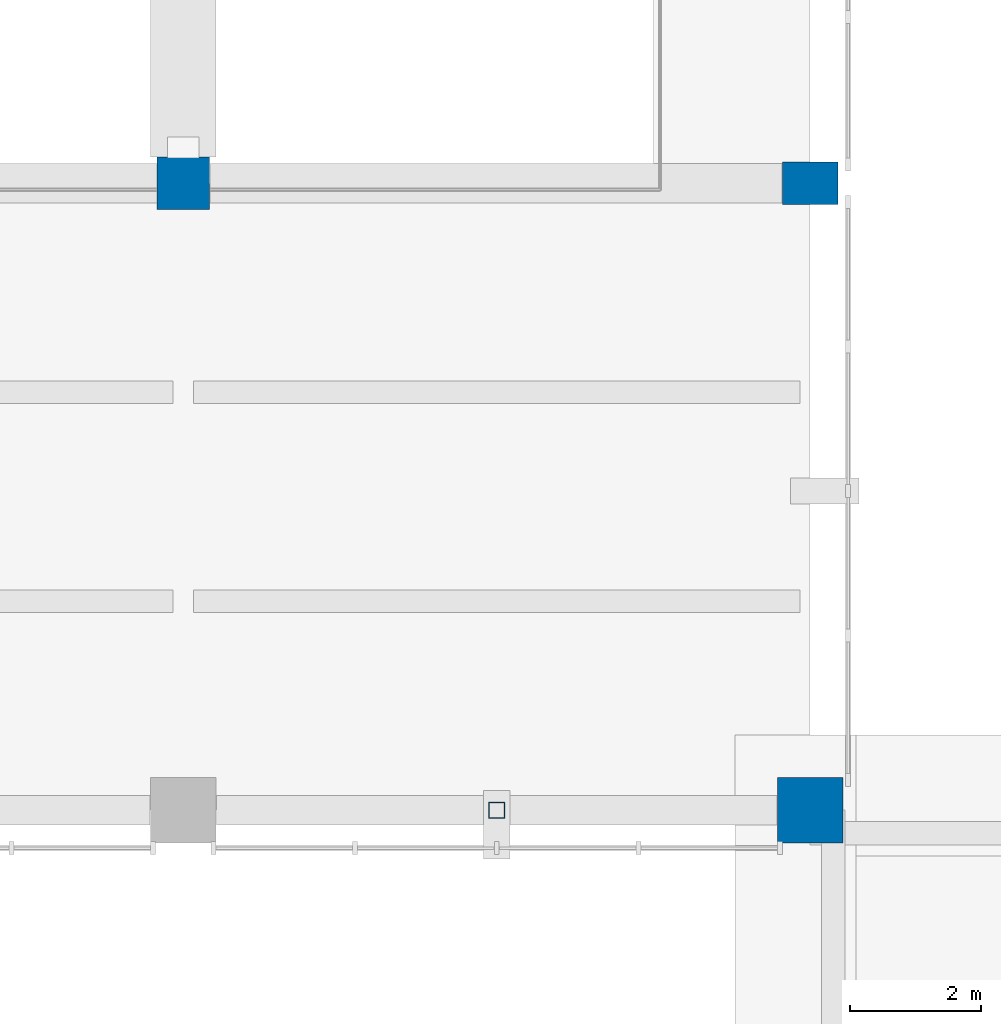
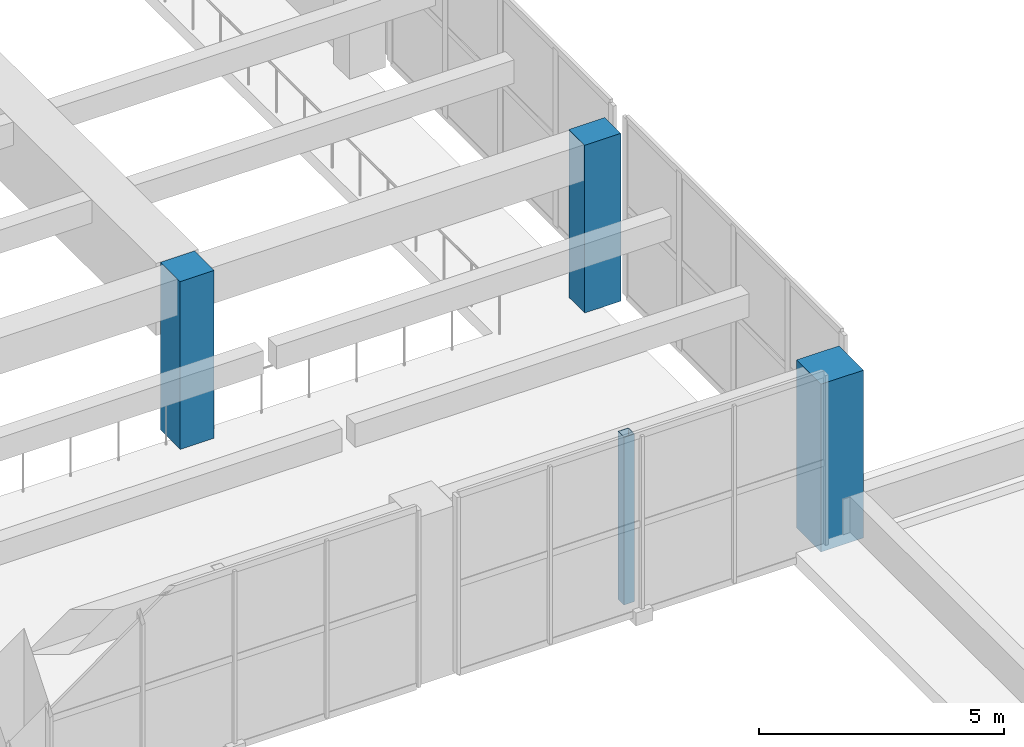
# One storey, part 4 of 49: 4 columns.
"""IFC4 building model written with IfcOpenShell, lengths in metres."""

from ifc_helpers import new_model, si_unit, direction, frame, origin, origin_2d, place, context, subcontext, project, spatial, rectangle, hollow_rectangle, extrude, material, material_profile, profile_set, type_object, element, save


model = new_model("IFC4")

# Units and contexts
model_context = context("Model", 3, precision=1e-05, world=origin(), true_north=direction((0.0, 1.0)))
body_context = subcontext(model_context, "Body", "Model", "MODEL_VIEW")
ifc_project = project(units=[si_unit("LENGTHUNIT", "METRE"), si_unit("AREAUNIT", "SQUARE_METRE"), si_unit("VOLUMEUNIT", "CUBIC_METRE"), si_unit("PLANEANGLEUNIT", "RADIAN"), si_unit("MASSUNIT", "GRAM", prefix="KILO")], contexts=[model_context])

# Site, building, storey
site_placement = place(None, origin())
site = spatial("IfcSite", under=ifc_project, at=site_placement, CompositionType="ELEMENT")
building_placement = place(site_placement, origin())
building = spatial("IfcBuilding", under=site, at=building_placement, Name="Bempovik Park Faculty of Sciences", CompositionType="ELEMENT")
storey_placement = place(building_placement, frame((0.0, 0.0, 5.39990234375)))
storey = spatial("IfcBuildingStorey", under=building, at=storey_placement, Name="L01", CompositionType="ELEMENT", Elevation=5.39990234375)

# Columns
ifc_material_1 = material(Name="Concrete C40/50", Category="concrete")
ifc_material_profile_1 = material_profile(ifc_material_1, rectangle(XDim=0.800048828125, YDim=0.800048828125, at=origin_2d()), Name="RC 800x800")
ifc_profile_set_1 = profile_set([ifc_material_profile_1], Name="Concrete C40/50")
column_type_1 = type_object("IfcColumnType", Name="C-33 RC 800x800", PredefinedType="COLUMN", material=ifc_profile_set_1)
column_1_placement = place(storey_placement, frame((108.0, 29.39990234375, 0.0), z_axis=(0.0, 0.0, 1.0), x_axis=(1.0, 0.0, 0.0)))
element("IfcColumn", 1, at=column_1_placement, inside=storey, type_object=column_type_1, Name="L01 Structural Column (108.0,29.4)", PredefinedType="COLUMN", context=body_context, shape_type="SweptSolid", body=[
    extrude(rectangle(XDim=0.800048828125, YDim=0.800048828125, at=origin_2d()), origin(), (0.0, 0.0, 1.0), 4.18017578125),
])
ifc_material_2 = material(Name="Steel S355", Category="steel")
ifc_material_profile_2 = material_profile(ifc_material_2, hollow_rectangle(XDim=0.25, YDim=0.25, WallThickness=0.012451171875, at=origin_2d()), Name="SHS 250x250x12.5")
ifc_profile_set_2 = profile_set([ifc_material_profile_2], Name="Steel S355")
column_type_2 = type_object("IfcColumnType", Name="C-47 SHS 250x250x12.5", PredefinedType="COLUMN", material=ifc_profile_set_2)
column_2_placement = place(storey_placement, frame((112.800048828125, 19.800048828125, 0.0), z_axis=(0.0, 0.0, 1.0), x_axis=(1.0, 0.0, 0.0)))
element("IfcColumn", 2, at=column_2_placement, inside=storey, type_object=column_type_2, Name="Foyer Steel Mullion Column L01 (112.8)", PredefinedType="COLUMN", context=body_context, shape_type="SweptSolid", body=[
    extrude(hollow_rectangle(XDim=0.25, YDim=0.25, WallThickness=0.012451171875, at=origin_2d()), origin(), (0.0, 0.0, 1.0), 4.18017578125),
])
ifc_material_profile_3 = material_profile(ifc_material_1, rectangle(XDim=0.85009765625, YDim=0.64990234375, at=origin_2d()), Name="RC 850x650")
ifc_profile_set_3 = profile_set([ifc_material_profile_3], Name="Concrete C40/50")
column_type_3 = type_object("IfcColumnType", Name="C-71 RC 850x650", PredefinedType="COLUMN", material=ifc_profile_set_3)
column_3_placement = place(storey_placement, frame((117.60009765625, 29.39990234375, 0.0), z_axis=(0.0, 0.0, 1.0), x_axis=(1.0, 0.0, 0.0)))
element("IfcColumn", 3, at=column_3_placement, inside=storey, type_object=column_type_3, Name="L01 Structural Column (117.6,29.4)", PredefinedType="COLUMN", context=body_context, shape_type="SweptSolid", body=[
    extrude(rectangle(XDim=0.85009765625, YDim=0.64990234375, at=origin_2d()), origin(), (0.0, 0.0, 1.0), 4.18017578125),
])
ifc_material_profile_4 = material_profile(ifc_material_1, rectangle(XDim=1.0, YDim=1.0, at=origin_2d()), Name="RC 1000x1000")
ifc_profile_set_4 = profile_set([ifc_material_profile_4], Name="Concrete C40/50")
column_type_4 = type_object("IfcColumnType", Name="C-84 RC 1000x1000", PredefinedType="COLUMN", material=ifc_profile_set_4)
column_4_placement = place(storey_placement, frame((117.60009765625, 19.800048828125, 0.0), z_axis=(0.0, 0.0, 1.0), x_axis=(1.0, 0.0, 0.0)))
element("IfcColumn", 4, at=column_4_placement, inside=storey, type_object=column_type_4, Name="L01 Structural Column (117.6,19.8)", PredefinedType="COLUMN", context=body_context, shape_type="SweptSolid", body=[
    extrude(rectangle(XDim=1.0, YDim=1.0, at=origin_2d()), origin(), (0.0, 0.0, 1.0), 4.18017578125),
])

save(model, "model.ifc")
